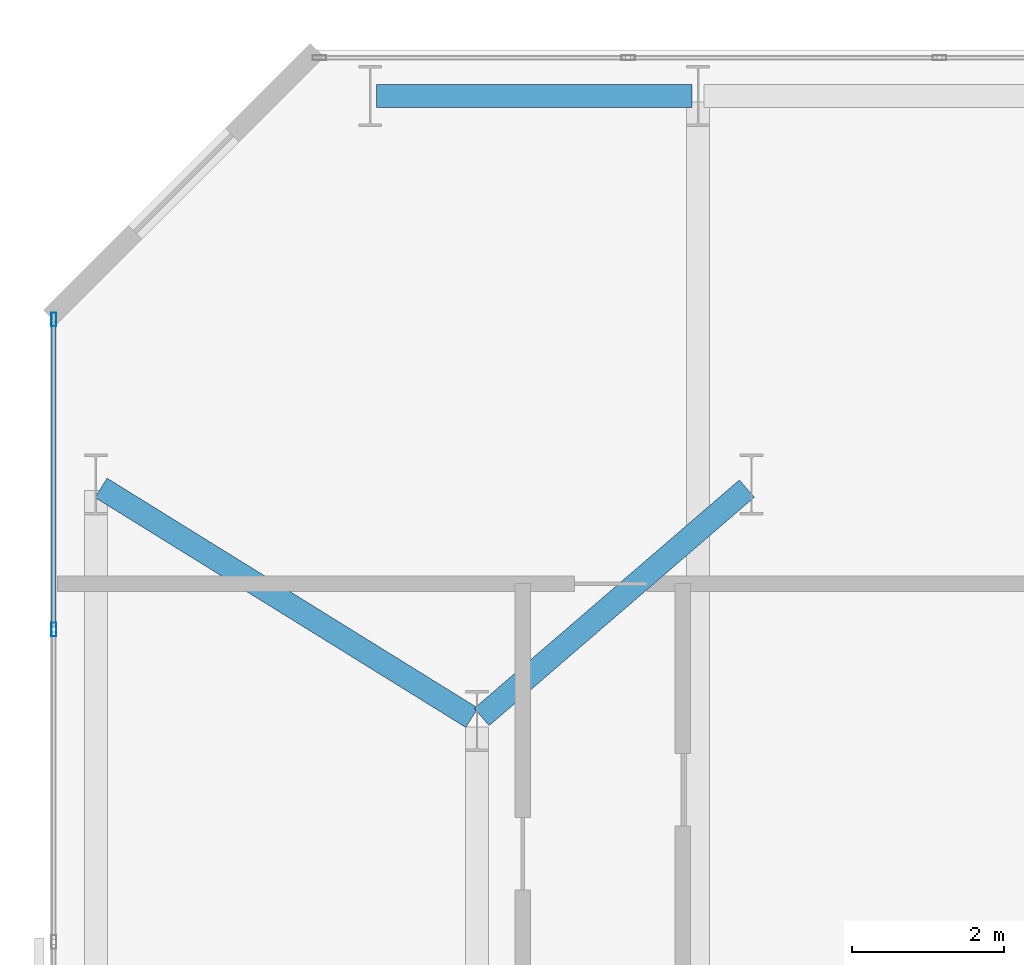
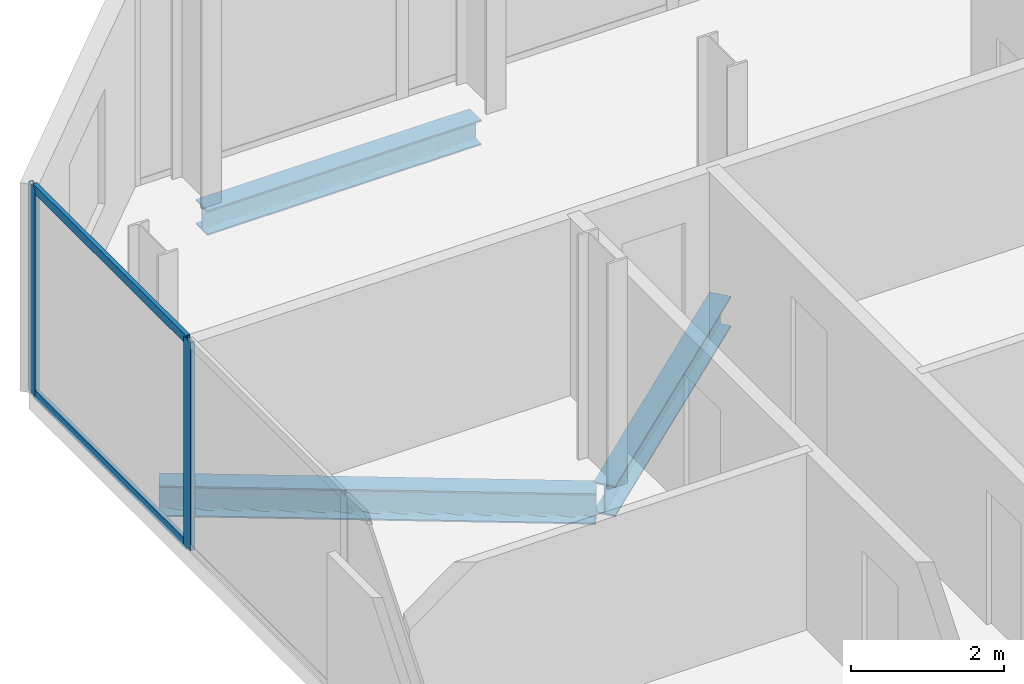
# One storey, part 19 of 32: 4 members, 3 beams, 1 element without a shape of its own.
"""IFC4 building model written with IfcOpenShell, lengths in metres."""

from ifc_helpers import new_model, si_unit, direction, frame, origin, origin_2d, place, context, subcontext, project, spatial, hollow_rectangle, i_section, extrude, material, layer, layer_set, material_profile, profile_set, type_object, element, aggregate, save


model = new_model("IFC4")

# Units and contexts
model_context = context("Model", 3, precision=1e-05, world=origin(), true_north=direction((0.0, 1.0)))
body_context = subcontext(model_context, "Body", "Model", "MODEL_VIEW")
ifc_project = project(units=[si_unit("LENGTHUNIT", "METRE"), si_unit("AREAUNIT", "SQUARE_METRE"), si_unit("VOLUMEUNIT", "CUBIC_METRE"), si_unit("PLANEANGLEUNIT", "RADIAN"), si_unit("MASSUNIT", "GRAM", prefix="KILO")], contexts=[model_context])

# Site, building, storey
site_placement = place(None, origin())
site = spatial("IfcSite", under=ifc_project, at=site_placement, CompositionType="ELEMENT")
building_placement = place(site_placement, origin())
building = spatial("IfcBuilding", under=site, at=building_placement, Name="Catumbela Crestline Tower", CompositionType="ELEMENT")
storey_placement = place(building_placement, frame((0.0, 0.0, 69.0)))
storey = spatial("IfcBuildingStorey", under=building, at=storey_placement, Name="L17", CompositionType="ELEMENT", Elevation=69.0)

# Beams
ifc_material_1 = material(Name="Structural steel S355J2", Category="steel")
ifc_material_profile_1 = material_profile(ifc_material_1, i_section(OverallWidth=0.3, OverallDepth=0.49, WebThickness=0.012, FlangeThickness=0.023, FilletRadius=0.027, at=origin_2d()), Name="HEA 500")
ifc_profile_set_1 = profile_set([ifc_material_profile_1], Name="Structural steel S355J2")
beam_type_1 = type_object("IfcBeamType", Name="BG-HEA500", PredefinedType="BEAM", material=ifc_profile_set_1)
beam_1_placement = place(storey_placement, frame((0.668, 42.2578, -0.505), z_axis=(0.849908952007, -0.526929571479, 0.0), x_axis=(0.526929571479, 0.849908952007, 0.0)))
element("IfcBeam", 1, at=beam_1_placement, inside=storey, type_object=beam_type_1, Name="L17 Beam BM-L17-N13", PredefinedType="BEAM", context=body_context, shape_type="SweptSolid", body=[
    extrude(i_section(OverallWidth=0.3, OverallDepth=0.49, WebThickness=0.012, FlangeThickness=0.023, FilletRadius=0.027, at=origin_2d()), origin(), (0.0, 0.0, 1.0), 5.723),
])
beam_2_placement = place(storey_placement, frame((5.6606, 39.2522, -0.505), z_axis=(0.757772392559, 0.652518966066, 0.0), x_axis=(-0.652518966066, 0.757772392559, 0.0)))
element("IfcBeam", 2, at=beam_2_placement, inside=storey, type_object=beam_type_1, Name="L17 Beam BM-L17-N14", PredefinedType="BEAM", context=body_context, shape_type="SweptSolid", body=[
    extrude(i_section(OverallWidth=0.3, OverallDepth=0.49, WebThickness=0.012, FlangeThickness=0.023, FilletRadius=0.027, at=origin_2d()), origin(), (0.0, 0.0, 1.0), 4.5908),
])

# Curtain wall, members
ifc_material_2 = material(Name="Aluminium alloy AW-6060-T66", Category="aluminium")
ifc_layer = layer(ifc_material_2, 0.18, Name="Aluminium alloy AW-6060-T66")
ifc_layer_set = layer_set([ifc_layer], Name="Aluminium alloy AW-6060-T66")
curtain_wall_type = type_object("IfcCurtainWallType", Name="CWU-Z1", PredefinedType="USERDEFINED", material=ifc_layer_set)
curtain_wall_placement = place(storey_placement, origin())
curtain_wall = element("IfcCurtainWall", 3, at=curtain_wall_placement, inside=storey, type_object=curtain_wall_type, Name="L17 Unitised Curtain Wall CW-L17-E9S1", ObjectType="UNITISED", PredefinedType="USERDEFINED")
ifc_material_profile_2 = material_profile(ifc_material_2, hollow_rectangle(XDim=0.065, YDim=0.18, WallThickness=0.004, at=origin_2d()), Name="ALU 180x65x4")
ifc_profile_set_2 = profile_set([ifc_material_profile_2], Name="Aluminium alloy AW-6060-T66")
member_type_1 = type_object("IfcMemberType", Name="MUL-180X65", PredefinedType="MULLION", material=ifc_profile_set_2)
member_1_placement = place(storey_placement, frame((0.05, 44.4675, 0.0), z_axis=(0.0, 0.0, 1.0), x_axis=(1.0, 0.0, 0.0)))
member_1 = element("IfcMember", 4, at=member_1_placement, type_object=member_type_1, Name="CWU-Z1 mullion 1", PredefinedType="MULLION", context=body_context, shape_type="SweptSolid", body=[
    extrude(hollow_rectangle(XDim=0.065, YDim=0.18, WallThickness=0.004, at=origin_2d()), origin(), (0.0, 0.0, 1.0), 3.33),
])
member_2_placement = place(storey_placement, frame((0.05, 40.4, 0.0), z_axis=(0.0, 0.0, 1.0), x_axis=(1.0, 0.0, 0.0)))
member_2 = element("IfcMember", 5, at=member_2_placement, type_object=member_type_1, Name="CWU-Z1 mullion 2", PredefinedType="MULLION", context=body_context, shape_type="SweptSolid", body=[
    extrude(hollow_rectangle(XDim=0.065, YDim=0.18, WallThickness=0.004, at=origin_2d()), origin(), (0.0, 0.0, 1.0), 3.33),
])

# Beam
ifc_material_profile_3 = material_profile(ifc_material_1, i_section(OverallWidth=0.3, OverallDepth=0.4, WebThickness=0.0135, FlangeThickness=0.024, FilletRadius=0.027, at=origin_2d()), Name="HEB 400")
ifc_profile_set_3 = profile_set([ifc_material_profile_3], Name="Structural steel S355J2")
beam_type_2 = type_object("IfcBeamType", Name="BS-HEB400", PredefinedType="SPANDREL", material=ifc_profile_set_3)
beam_3_placement = place(storey_placement, frame((4.28, 47.4, -0.46), z_axis=(1.0, 0.0, 0.0), x_axis=(0.0, 1.0, 0.0)))
element("IfcBeam", 6, at=beam_3_placement, inside=storey, type_object=beam_type_2, Name="L17 Spandrel SP-L17-NF19", PredefinedType="SPANDREL", context=body_context, shape_type="SweptSolid", body=[
    extrude(i_section(OverallWidth=0.3, OverallDepth=0.4, WebThickness=0.0135, FlangeThickness=0.024, FilletRadius=0.027, at=origin_2d()), origin(), (0.0, 0.0, 1.0), 4.14),
])

# Member
ifc_material_profile_4 = material_profile(ifc_material_2, hollow_rectangle(XDim=0.06, YDim=0.14, WallThickness=0.004, at=origin_2d()), Name="ALU 140x60x4")
ifc_profile_set_4 = profile_set([ifc_material_profile_4], Name="Aluminium alloy AW-6060-T66")
member_type_2 = type_object("IfcMemberType", Name="TRN-140X60", PredefinedType="USERDEFINED", material=ifc_profile_set_4)
member_3_placement = place(storey_placement, frame((0.05, 44.435, 0.03), z_axis=(0.0, -1.0, 0.0), x_axis=(1.0, 0.0, 0.0)))
member_3 = element("IfcMember", 7, at=member_3_placement, type_object=member_type_2, Name="CWU-Z1 transom 1.1", ObjectType="TRANSOM", PredefinedType="USERDEFINED", context=body_context, shape_type="SweptSolid", body=[
    extrude(hollow_rectangle(XDim=0.06, YDim=0.14, WallThickness=0.004, at=origin_2d()), origin(), (0.0, 0.0, 1.0), 4.0025),
])

member_4_placement = place(storey_placement, frame((0.05, 44.435, 3.3), z_axis=(0.0, -1.0, 0.0), x_axis=(1.0, 0.0, 0.0)))
member_4 = element("IfcMember", 8, at=member_4_placement, type_object=member_type_2, Name="CWU-Z1 transom 1.2", ObjectType="TRANSOM", PredefinedType="USERDEFINED", context=body_context, shape_type="SweptSolid", body=[
    extrude(hollow_rectangle(XDim=0.06, YDim=0.14, WallThickness=0.004, at=origin_2d()), origin(), (0.0, 0.0, 1.0), 4.0025),
])

aggregate(curtain_wall, [member_1, member_2, member_3, member_4])

save(model, "model.ifc")
